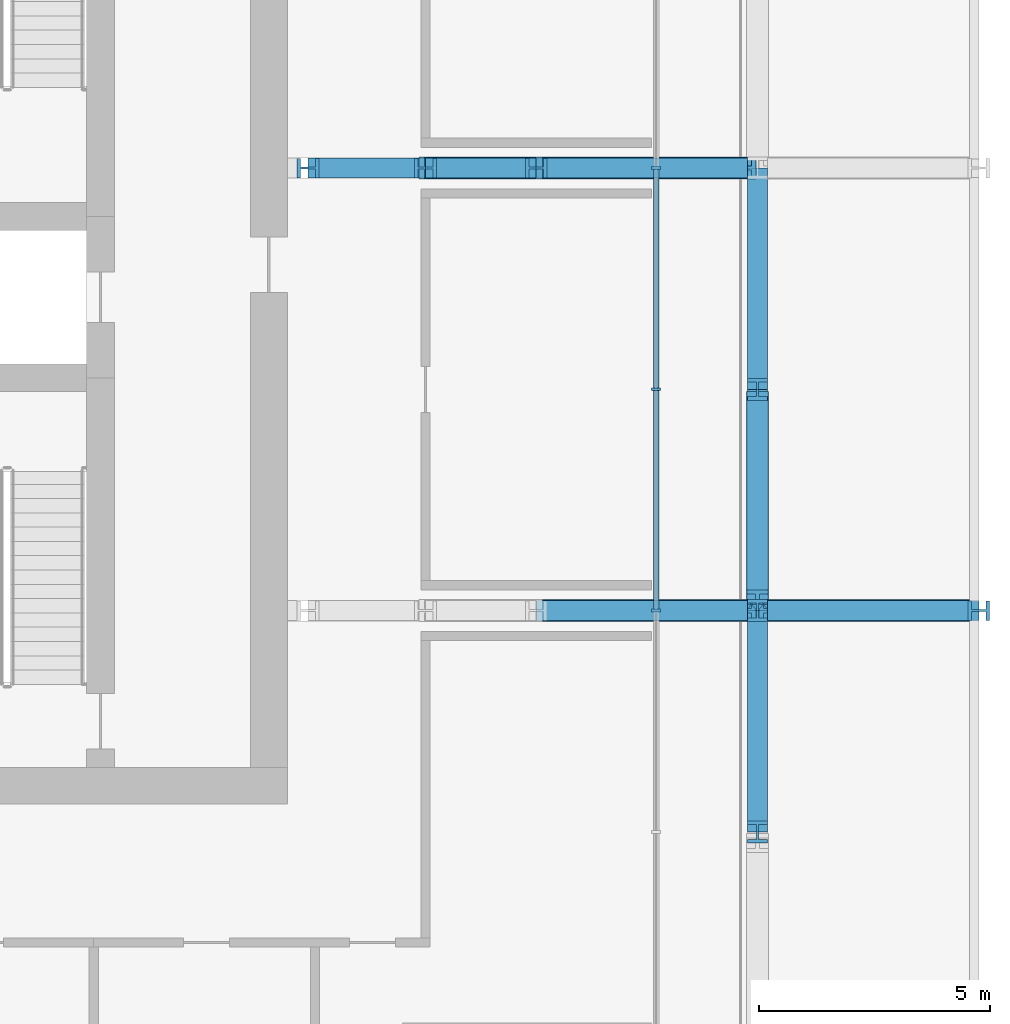
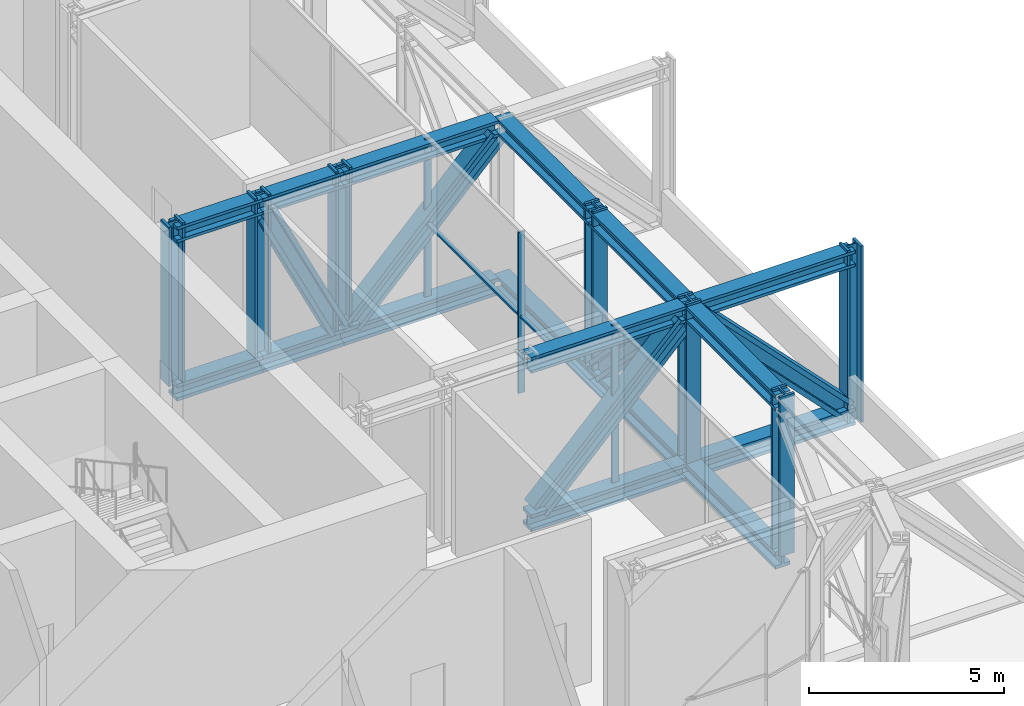
# One storey, part 8 of 25: 33 members, 1 element without a shape of its own.
"""IFC4 building model written with IfcOpenShell, lengths in metres."""

from ifc_helpers import new_model, si_unit, direction, frame, origin, origin_2d, place, context, subcontext, project, spatial, rectangle, i_section, extrude, material, layer, layer_set, material_profile, profile_set, type_object, element, aggregate, save


model = new_model("IFC4")

# Units and contexts
model_context = context("Model", 3, precision=1e-05, world=origin(), true_north=direction((0.0, 1.0)))
body_context = subcontext(model_context, "Body", "Model", "MODEL_VIEW")
ifc_project = project(units=[si_unit("LENGTHUNIT", "METRE"), si_unit("AREAUNIT", "SQUARE_METRE"), si_unit("VOLUMEUNIT", "CUBIC_METRE"), si_unit("PLANEANGLEUNIT", "RADIAN"), si_unit("MASSUNIT", "GRAM", prefix="KILO")], contexts=[model_context])

# Site, building, storey
site_placement = place(None, origin())
site = spatial("IfcSite", under=ifc_project, at=site_placement, CompositionType="ELEMENT")
building_placement = place(site_placement, origin())
building = spatial("IfcBuilding", under=site, at=building_placement, Name="Madar Terraces", CompositionType="ELEMENT")
storey_placement = place(building_placement, frame((0.0, 0.0, 113.699951171875)))
storey = spatial("IfcBuildingStorey", under=building, at=storey_placement, Name="L29", CompositionType="ELEMENT", Elevation=113.699951171875)

# Members
ifc_material_1 = material(Name="Steel ASTM A913 Grade 65", Category="steel")
ifc_material_profile_1 = material_profile(ifc_material_1, i_section(OverallWidth=0.44189453125, OverallDepth=0.53076171875, WebThickness=0.06591796875, FlangeThickness=0.105712890625, at=origin_2d()), Name="W14x605")
ifc_profile_set_1 = profile_set([ifc_material_profile_1], Name="Steel ASTM A913 Grade 65")
member_type_1 = type_object("IfcMemberType", Name="BC4 W14x605", PredefinedType="CHORD", material=ifc_profile_set_1)
for number, where, z_axis, x_axis, name in (
    (1, (57.60009765625, 14.39990234375, -0.154541015625), (0.0, 1.0, 0.0), (-1.0, 0.0, 0.0), "Exoskeleton truss ring bottom chord BC4"),
    (2, (57.60009765625, 19.199951171875, -0.154541015625), (0.0, 1.0, 0.0), (-1.0, 0.0, 0.0), "Exoskeleton truss ring bottom chord BC4"),
    (3, (57.60009765625, 24.0, -0.154541015625), (0.0, 1.0, 0.0), (-1.0, 0.0, 0.0), "Exoskeleton truss ring bottom chord BC4"),
):
    element("IfcMember", number, at=place(storey_placement, frame(where, z_axis=z_axis, x_axis=x_axis)), inside=storey, type_object=member_type_1, Name=name, PredefinedType="CHORD", context=body_context, shape_type="SweptSolid", body=[
        extrude(i_section(OverallWidth=0.44189453125, OverallDepth=0.53076171875, WebThickness=0.06591796875, FlangeThickness=0.105712890625, at=origin_2d()), origin(), (0.0, 0.0, 1.0), 4.800048828125),
    ])
for number, where, z_axis, x_axis, name in (
    (4, (62.39990234375, 19.199951171875, -0.154541015625), (-1.0, 0.0, 0.0), (0.0, -1.0, 0.0), "Exoskeleton truss cross E19.2 bottom chord BC4"),
    (5, (57.37890625, 19.199951171875, -0.154541015625), (-1.0, 0.0, 0.0), (0.0, -1.0, 0.0), "Exoskeleton truss cross E19.2 bottom chord BC4"),
    (6, (57.37890625, 28.800048828125, -0.154541015625), (-1.0, 0.0, 0.0), (0.0, -1.0, 0.0), "Exoskeleton truss cross E28.8 bottom chord BC4"),
):
    element("IfcMember", number, at=place(storey_placement, frame(where, z_axis=z_axis, x_axis=x_axis)), inside=storey, type_object=member_type_1, Name=name, PredefinedType="CHORD", context=body_context, shape_type="SweptSolid", body=[
        extrude(i_section(OverallWidth=0.44189453125, OverallDepth=0.53076171875, WebThickness=0.06591796875, FlangeThickness=0.105712890625, at=origin_2d()), origin(), (0.0, 0.0, 1.0), 4.578857421875),
    ])
member_1_placement = place(storey_placement, frame((52.800048828125, 28.800048828125, -0.154541015625), z_axis=(-1.0, 0.0, 0.0), x_axis=(0.0, -1.0, 0.0)))
element("IfcMember", 7, at=member_1_placement, inside=storey, type_object=member_type_1, Name="Exoskeleton truss cross E28.8 bottom chord BC4", PredefinedType="CHORD", context=body_context, shape_type="SweptSolid", body=[
    extrude(i_section(OverallWidth=0.44189453125, OverallDepth=0.53076171875, WebThickness=0.06591796875, FlangeThickness=0.105712890625, at=origin_2d()), origin(), (0.0, 0.0, 1.0), 2.400146484375),
])
member_2_placement = place(storey_placement, frame((50.39990234375, 28.800048828125, -0.154541015625), z_axis=(-1.0, 0.0, 0.0), x_axis=(0.0, -1.0, 0.0)))
element("IfcMember", 8, at=member_2_placement, inside=storey, type_object=member_type_1, Name="Exoskeleton truss cross E28.8 bottom chord BC4", PredefinedType="CHORD", context=body_context, shape_type="SweptSolid", body=[
    extrude(i_section(OverallWidth=0.44189453125, OverallDepth=0.53076171875, WebThickness=0.06591796875, FlangeThickness=0.105712890625, at=origin_2d()), origin(), (0.0, 0.0, 1.0), 2.5498046875),
])

# Curtain wall, members
ifc_material_2 = material(Name="Glass, ceramic frit dark grey, with black aluminium frame", Category="aluminium")
ifc_layer = layer(ifc_material_2, 0.199951171875)
ifc_layer_set = layer_set([ifc_layer], Name="Facade curtain wall, tall glazing")
curtain_wall_type = type_object("IfcCurtainWallType", Name="Facade curtain wall, tall glazing", PredefinedType="NOTDEFINED", material=ifc_layer_set)
curtain_wall_placement = place(storey_placement, origin())
curtain_wall = element("IfcCurtainWall", 9, at=curtain_wall_placement, inside=storey, type_object=curtain_wall_type, Name="Outer skin curtain wall east bay 1", PredefinedType="NOTDEFINED")
ifc_material_3 = material(Name="Aluminium, black anodised", Category="aluminium")
ifc_material_profile_2 = material_profile(ifc_material_3, rectangle(XDim=0.199951171875, YDim=0.06005859375, at=origin_2d()), Name="Facade mullion 60x200")
ifc_profile_set_2 = profile_set([ifc_material_profile_2], Name="Aluminium, black anodised")
member_type_2 = type_object("IfcMemberType", Name="Facade mullion 60x200", PredefinedType="MULLION", material=ifc_profile_set_2)
member_3_placement = place(storey_placement, frame((55.39990234375, 19.199951171875, 0.0), z_axis=(0.0, 0.0, 1.0), x_axis=(-1.0, 0.0, 0.0)))
member_3 = element("IfcMember", 10, at=member_3_placement, type_object=member_type_2, Name="Mullion 2", PredefinedType="MULLION", context=body_context, shape_type="SweptSolid", body=[
    extrude(rectangle(XDim=0.199951171875, YDim=0.06005859375, at=origin_2d()), origin(), (0.0, 0.0, 1.0), 5.0400390625),
])
member_4_placement = place(storey_placement, frame((55.39990234375, 24.0, 0.0), z_axis=(0.0, 0.0, 1.0), x_axis=(-1.0, 0.0, 0.0)))
member_4 = element("IfcMember", 11, at=member_4_placement, type_object=member_type_2, Name="Mullion 3", PredefinedType="MULLION", context=body_context, shape_type="SweptSolid", body=[
    extrude(rectangle(XDim=0.199951171875, YDim=0.06005859375, at=origin_2d()), origin(), (0.0, 0.0, 1.0), 5.0400390625),
])
member_5_placement = place(storey_placement, frame((55.39990234375, 28.800048828125, 0.0), z_axis=(0.0, 0.0, 1.0), x_axis=(-1.0, 0.0, 0.0)))
member_5 = element("IfcMember", 12, at=member_5_placement, type_object=member_type_2, Name="Mullion 4", PredefinedType="MULLION", context=body_context, shape_type="SweptSolid", body=[
    extrude(rectangle(XDim=0.199951171875, YDim=0.06005859375, at=origin_2d()), origin(), (0.0, 0.0, 1.0), 5.0400390625),
])
ifc_material_4 = material(Name="Aluminium, black anodised", Category="aluminium")
ifc_material_profile_3 = material_profile(ifc_material_4, rectangle(XDim=0.1201171875, YDim=0.06005859375, at=origin_2d()), Name="Facade transom 60x120")
ifc_profile_set_3 = profile_set([ifc_material_profile_3], Name="Aluminium, black anodised")
member_type_3 = type_object("IfcMemberType", Name="Facade transom 60x120", PredefinedType="USERDEFINED", material=ifc_profile_set_3)
member_6_placement = place(storey_placement, frame((55.39990234375, 19.22998046875, 2.400146484375), z_axis=(0.0, 1.0, 0.0), x_axis=(-1.0, 0.0, 0.0)))
member_6 = element("IfcMember", 13, at=member_6_placement, type_object=member_type_3, Name="Transom 4", ObjectType="TRANSOM", PredefinedType="USERDEFINED", context=body_context, shape_type="SweptSolid", body=[
    extrude(rectangle(XDim=0.1201171875, YDim=0.06005859375, at=origin_2d()), origin(), (0.0, 0.0, 1.0), 4.739990234375),
])
member_7_placement = place(storey_placement, frame((55.39990234375, 24.030029296875, 2.400146484375), z_axis=(0.0, 1.0, 0.0), x_axis=(-1.0, 0.0, 0.0)))
member_7 = element("IfcMember", 14, at=member_7_placement, type_object=member_type_3, Name="Transom 5", ObjectType="TRANSOM", PredefinedType="USERDEFINED", context=body_context, shape_type="SweptSolid", body=[
    extrude(rectangle(XDim=0.1201171875, YDim=0.06005859375, at=origin_2d()), origin(), (0.0, 0.0, 1.0), 4.739990234375),
])
aggregate(curtain_wall, [member_3, member_4, member_5, member_6, member_7])

# Members
ifc_material_5 = material(Name="Steel ASTM A913 Grade 65", Category="steel")
ifc_material_profile_4 = material_profile(ifc_material_5, i_section(OverallWidth=0.431884765625, OverallDepth=0.497802734375, WebThickness=0.0556640625, FlangeThickness=0.0888671875, at=origin_2d()), Name="W14x500")
ifc_profile_set_4 = profile_set([ifc_material_profile_4], Name="Steel ASTM A913 Grade 65")
member_type_4 = type_object("IfcMemberType", Name="TC4 W14x500", PredefinedType="CHORD", material=ifc_profile_set_4)
for number, where, z_axis, x_axis, name in (
    (15, (57.60009765625, 14.39990234375, 4.78125), (0.0, 1.0, 0.0), (-1.0, 0.0, 0.0), "Exoskeleton truss ring top chord TC4"),
    (16, (57.60009765625, 19.199951171875, 4.78125), (0.0, 1.0, 0.0), (-1.0, 0.0, 0.0), "Exoskeleton truss ring top chord TC4"),
    (17, (57.60009765625, 24.0, 4.78125), (0.0, 1.0, 0.0), (-1.0, 0.0, 0.0), "Exoskeleton truss ring top chord TC4"),
):
    element("IfcMember", number, at=place(storey_placement, frame(where, z_axis=z_axis, x_axis=x_axis)), inside=storey, type_object=member_type_4, Name=name, PredefinedType="CHORD", context=body_context, shape_type="SweptSolid", body=[
        extrude(i_section(OverallWidth=0.431884765625, OverallDepth=0.497802734375, WebThickness=0.0556640625, FlangeThickness=0.0888671875, at=origin_2d()), origin(), (0.0, 0.0, 1.0), 4.800048828125),
    ])
for number, where, z_axis, x_axis, name in (
    (18, (62.39990234375, 19.199951171875, 4.78125), (-1.0, 0.0, 0.0), (0.0, -1.0, 0.0), "Exoskeleton truss cross E19.2 top chord TC4"),
    (19, (57.384033203125, 19.199951171875, 4.78125), (-1.0, 0.0, 0.0), (0.0, -1.0, 0.0), "Exoskeleton truss cross E19.2 top chord TC4"),
    (20, (57.384033203125, 28.800048828125, 4.78125), (-1.0, 0.0, 0.0), (0.0, -1.0, 0.0), "Exoskeleton truss cross E28.8 top chord TC4"),
):
    element("IfcMember", number, at=place(storey_placement, frame(where, z_axis=z_axis, x_axis=x_axis)), inside=storey, type_object=member_type_4, Name=name, PredefinedType="CHORD", context=body_context, shape_type="SweptSolid", body=[
        extrude(i_section(OverallWidth=0.431884765625, OverallDepth=0.497802734375, WebThickness=0.0556640625, FlangeThickness=0.0888671875, at=origin_2d()), origin(), (0.0, 0.0, 1.0), 4.583984375),
    ])
member_8_placement = place(storey_placement, frame((52.800048828125, 28.800048828125, 4.78125), z_axis=(-1.0, 0.0, 0.0), x_axis=(0.0, -1.0, 0.0)))
element("IfcMember", 21, at=member_8_placement, inside=storey, type_object=member_type_4, Name="Exoskeleton truss cross E28.8 top chord TC4", PredefinedType="CHORD", context=body_context, shape_type="SweptSolid", body=[
    extrude(i_section(OverallWidth=0.431884765625, OverallDepth=0.497802734375, WebThickness=0.0556640625, FlangeThickness=0.0888671875, at=origin_2d()), origin(), (0.0, 0.0, 1.0), 2.400146484375),
])
member_9_placement = place(storey_placement, frame((50.39990234375, 28.800048828125, 4.78125), z_axis=(-1.0, 0.0, 0.0), x_axis=(0.0, -1.0, 0.0)))
element("IfcMember", 22, at=member_9_placement, inside=storey, type_object=member_type_4, Name="Exoskeleton truss cross E28.8 top chord TC4", PredefinedType="CHORD", context=body_context, shape_type="SweptSolid", body=[
    extrude(i_section(OverallWidth=0.431884765625, OverallDepth=0.497802734375, WebThickness=0.0556640625, FlangeThickness=0.0888671875, at=origin_2d()), origin(), (0.0, 0.0, 1.0), 2.5498046875),
])
ifc_material_6 = material(Name="Steel ASTM A913 Grade 65", Category="steel")
ifc_material_profile_5 = material_profile(ifc_material_6, i_section(OverallWidth=0.472412109375, OverallDepth=0.5791015625, WebThickness=0.094970703125, FlangeThickness=0.130126953125, at=origin_2d()), Name="W14x808")
ifc_profile_set_5 = profile_set([ifc_material_profile_5], Name="Steel ASTM A913 Grade 65")
member_type_5 = type_object("IfcMemberType", Name="TD4 W14x808", PredefinedType="BRACE", material=ifc_profile_set_5)
for number, where, z_axis, x_axis, name in (
    (23, (57.60009765625, 19.442138671875, 4.5322265625), (0.0, 0.697181267802, -0.716894887571), (-1.0, 0.0, 0.0), "Exoskeleton truss ring diagonal TD4"),
    (24, (62.141845703125, 19.199951171875, 0.11083984375), (-0.697181267802, 0.0, 0.716894887571), (0.0, -1.0, 0.0), "Exoskeleton truss cross E19.2 diagonal TD4"),
    (25, (57.35791015625, 19.199951171875, 4.5322265625), (-0.697181267802, 0.0, -0.716894887571), (0.0, -1.0, 0.0), "Exoskeleton truss cross E19.2 diagonal TD4"),
    (26, (57.35791015625, 28.800048828125, 4.5322265625), (-0.697181267802, 0.0, -0.716894887571), (0.0, -1.0, 0.0), "Exoskeleton truss cross E28.8 diagonal TD4"),
):
    element("IfcMember", number, at=place(storey_placement, frame(where, z_axis=z_axis, x_axis=x_axis)), inside=storey, type_object=member_type_5, Name=name, PredefinedType="BRACE", context=body_context, shape_type="SweptSolid", body=[
        extrude(i_section(OverallWidth=0.472412109375, OverallDepth=0.5791015625, WebThickness=0.094970703125, FlangeThickness=0.130126953125, at=origin_2d()), origin(), (0.0, 0.0, 1.0), 6.16748046875),
    ])
member_10_placement = place(storey_placement, frame((52.6708984375, 28.800048828125, 0.11083984375), z_axis=(-0.43729423743, 0.0, 0.899318491921), x_axis=(0.0, -1.0, 0.0)))
element("IfcMember", 27, at=member_10_placement, inside=storey, type_object=member_type_5, Name="Exoskeleton truss cross E28.8 diagonal TD4", PredefinedType="BRACE", context=body_context, shape_type="SweptSolid", body=[
    extrude(i_section(OverallWidth=0.472412109375, OverallDepth=0.5791015625, WebThickness=0.094970703125, FlangeThickness=0.130126953125, at=origin_2d()), origin(), (0.0, 0.0, 1.0), 4.916259765625),
])
ifc_material_7 = material(Name="Steel ASTM A913 Grade 65", Category="steel")
ifc_material_profile_6 = material_profile(ifc_material_7, i_section(OverallWidth=0.424072265625, OverallDepth=0.47509765625, WebThickness=0.0478515625, FlangeThickness=0.0771484375, at=origin_2d()), Name="W14x426")
ifc_profile_set_6 = profile_set([ifc_material_profile_6], Name="Steel ASTM A913 Grade 65")
member_type_6 = type_object("IfcMemberType", Name="TV4 W14x426", PredefinedType="POST", material=ifc_profile_set_6)
for number, where, z_axis, x_axis, name in (
    (28, (57.60009765625, 14.39990234375, 0.11083984375), (0.0, 0.0, 1.0), (-1.0, 0.0, 0.0), "Exoskeleton truss ring post TV4"),
    (29, (57.60009765625, 19.199951171875, 0.11083984375), (0.0, 0.0, 1.0), (-1.0, 0.0, 0.0), "Exoskeleton truss ring post TV4"),
    (30, (57.60009765625, 24.0, 0.11083984375), (0.0, 0.0, 1.0), (-1.0, 0.0, 0.0), "Exoskeleton truss ring post TV4"),
):
    element("IfcMember", number, at=place(storey_placement, frame(where, z_axis=z_axis, x_axis=x_axis)), inside=storey, type_object=member_type_6, Name=name, PredefinedType="POST", context=body_context, shape_type="SweptSolid", body=[
        extrude(i_section(OverallWidth=0.424072265625, OverallDepth=0.47509765625, WebThickness=0.0478515625, FlangeThickness=0.0771484375, at=origin_2d()), origin(), (0.0, 0.0, 1.0), 4.9892578125),
    ])
member_11_placement = place(storey_placement, frame((62.39990234375, 19.199951171875, -0.419921875), z_axis=(0.0, 0.0, 1.0), x_axis=(0.0, 1.0, 0.0)))
element("IfcMember", 31, at=member_11_placement, inside=storey, type_object=member_type_6, Name="Exoskeleton truss cross E19.2 post TV4", PredefinedType="POST", context=body_context, shape_type="SweptSolid", body=[
    extrude(i_section(OverallWidth=0.424072265625, OverallDepth=0.47509765625, WebThickness=0.0478515625, FlangeThickness=0.0771484375, at=origin_2d()), origin(), (0.0, 0.0, 1.0), 5.52001953125),
])
for number, where, z_axis, x_axis, name in (
    (32, (52.800048828125, 28.800048828125, 0.11083984375), (0.0, 0.0, 1.0), (0.0, 1.0, 0.0), "Exoskeleton truss cross E28.8 post TV4"),
    (33, (50.39990234375, 28.800048828125, 0.11083984375), (0.0, 0.0, 1.0), (0.0, 1.0, 0.0), "Exoskeleton truss cross E28.8 post TV4"),
    (34, (47.85009765625, 28.800048828125, 0.11083984375), (0.0, 0.0, 1.0), (0.0, 1.0, 0.0), "Exoskeleton truss cross E28.8 post TV4"),
):
    element("IfcMember", number, at=place(storey_placement, frame(where, z_axis=z_axis, x_axis=x_axis)), inside=storey, type_object=member_type_6, Name=name, PredefinedType="POST", context=body_context, shape_type="SweptSolid", body=[
        extrude(i_section(OverallWidth=0.424072265625, OverallDepth=0.47509765625, WebThickness=0.0478515625, FlangeThickness=0.0771484375, at=origin_2d()), origin(), (0.0, 0.0, 1.0), 4.9892578125),
    ])

save(model, "model.ifc")
